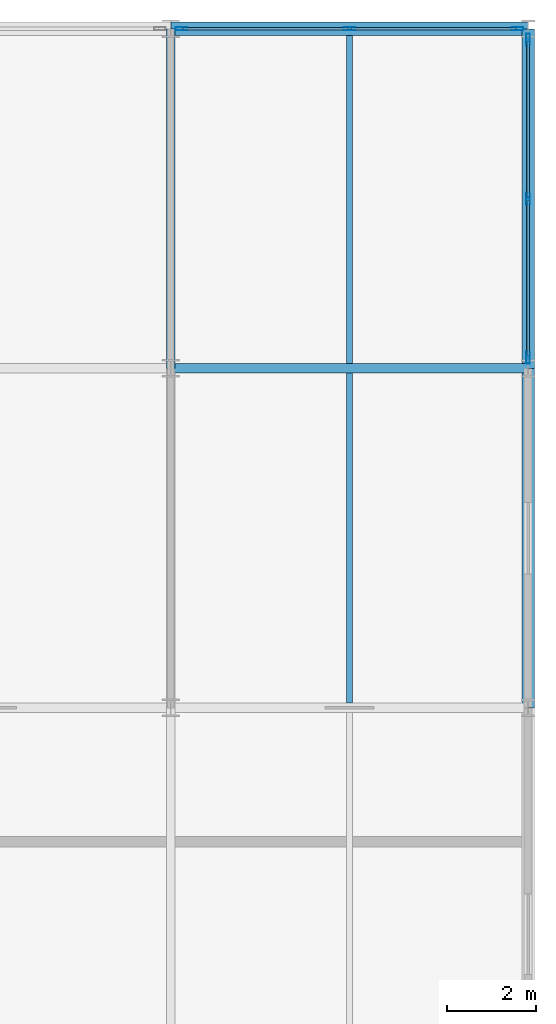
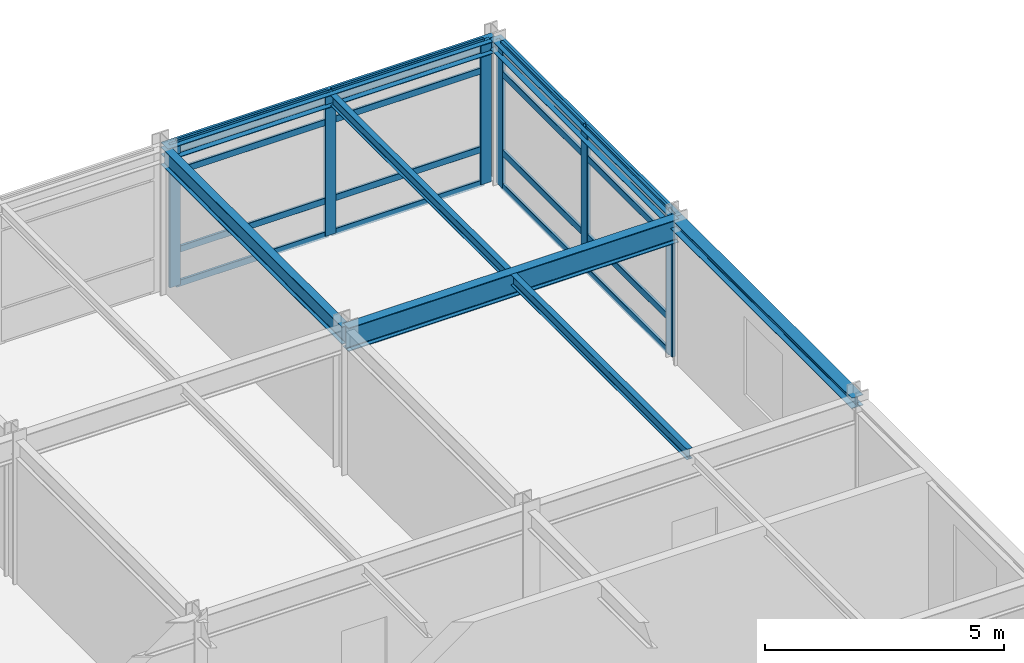
# One storey, part 9 of 14: 22 members, 7 beams, 2 elements without a shape of their own.
"""IFC4 building model written with IfcOpenShell, lengths in metres."""

from ifc_helpers import new_model, si_unit, direction, frame, origin, origin_2d, place, context, subcontext, project, spatial, hollow_rectangle, i_section, extrude, material, layer, layer_set, material_profile, profile_set, type_object, element, aggregate, save


model = new_model("IFC4")

# Units and contexts
model_context = context("Model", 3, precision=1e-05, world=origin(), true_north=direction((0.0, 1.0)))
body_context = subcontext(model_context, "Body", "Model", "MODEL_VIEW")
ifc_project = project(units=[si_unit("LENGTHUNIT", "METRE"), si_unit("AREAUNIT", "SQUARE_METRE"), si_unit("VOLUMEUNIT", "CUBIC_METRE"), si_unit("PLANEANGLEUNIT", "RADIAN"), si_unit("MASSUNIT", "GRAM", prefix="KILO")], contexts=[model_context])

# Site, building, storey
site_placement = place(None, origin())
site = spatial("IfcSite", under=ifc_project, at=site_placement, CompositionType="ELEMENT")
building_placement = place(site_placement, origin())
building = spatial("IfcBuilding", under=site, at=building_placement, Name="Shalkamar Park Central Library", CompositionType="ELEMENT")
storey_placement = place(building_placement, frame((0.0, 0.0, 28.199951171875)))
storey = spatial("IfcBuildingStorey", under=building, at=storey_placement, Name="L07", CompositionType="ELEMENT", Elevation=28.199951171875)

# Beams
ifc_material_1 = material(Name="Steel S355", Category="steel")
ifc_material_profile_1 = material_profile(ifc_material_1, i_section(OverallWidth=0.135009765625, OverallDepth=0.27001953125, WebThickness=0.006591796875, FlangeThickness=0.01025390625, FilletRadius=0.014892578125, at=origin_2d()), Name="IPE 270")
ifc_profile_set_1 = profile_set([ifc_material_profile_1], Name="Steel S355")
beam_type_1 = type_object("IfcBeamType", Name="Composite Floor Joist IPE270", PredefinedType="JOIST", material=ifc_profile_set_1)
beam_1_placement = place(storey_placement, frame((217.0, 278.10791015625, 3.525146484375), z_axis=(0.0, 1.0, 0.0), x_axis=(-1.0, 0.0, 0.0)))
element("IfcBeam", 1, at=beam_1_placement, inside=storey, type_object=beam_type_1, Name="Composite Joist 13/F-1 (L07)", PredefinedType="JOIST", context=body_context, shape_type="SweptSolid", body=[
    extrude(i_section(OverallWidth=0.135009765625, OverallDepth=0.27001953125, WebThickness=0.006591796875, FlangeThickness=0.01025390625, FilletRadius=0.014892578125, at=origin_2d()), origin(), (0.0, 0.0, 1.0), 7.384033203125),
])
beam_2_placement = place(storey_placement, frame((217.0, 285.7080078125, 3.525146484375), z_axis=(0.0, 1.0, 0.0), x_axis=(-1.0, 0.0, 0.0)))
element("IfcBeam", 2, at=beam_2_placement, inside=storey, type_object=beam_type_1, Name="Composite Joist 13/G-1 (L07)", PredefinedType="JOIST", context=body_context, shape_type="SweptSolid", body=[
    extrude(i_section(OverallWidth=0.135009765625, OverallDepth=0.27001953125, WebThickness=0.006591796875, FlangeThickness=0.01025390625, FilletRadius=0.014892578125, at=origin_2d()), origin(), (0.0, 0.0, 1.0), 7.343994140625),
])

# Curtain wall, members
ifc_material_2 = material(Name="Thermally broken aluminium and triple low-e curtain wall", Category="aluminium")
ifc_layer_1 = layer(ifc_material_2, 0.260009765625)
ifc_layer_set_1 = layer_set([ifc_layer_1], Name="UnitisedCurtainWall_72")
curtain_wall_type_1 = type_object("IfcCurtainWallType", Name="Unitised Curtain Wall 72", PredefinedType="USERDEFINED", material=ifc_layer_set_1)
curtain_wall_1_placement = place(storey_placement, origin())
curtain_wall_1 = element("IfcCurtainWall", 3, at=curtain_wall_1_placement, inside=storey, type_object=curtain_wall_type_1, Name="Unitised Curtain Wall CW-L07-102", ObjectType="UNITISED CURTAIN WALL", PredefinedType="USERDEFINED")
ifc_material_3 = material(Name="Aluminium 6060-T66", Category="aluminium")
ifc_material_profile_2 = material_profile(ifc_material_3, hollow_rectangle(XDim=0.074951171875, YDim=0.260009765625, WallThickness=0.00439453125, InnerFilletRadius=0.00439453125, OuterFilletRadius=0.0068359375, at=origin_2d()), Name="ALU 75x260x4.5")
ifc_profile_set_2 = profile_set([ifc_material_profile_2], Name="Aluminium 6060-T66")
member_type_1 = type_object("IfcMemberType", Name="Curtain Wall Mullion ALU75x260", PredefinedType="MULLION", material=ifc_profile_set_2)
member_1_placement = place(storey_placement, frame((213.240478515625, 293.199951171875, 0.0), z_axis=(0.0, 0.0, 1.0), x_axis=(0.0, 1.0, 0.0)))
member_1 = element("IfcMember", 4, at=member_1_placement, type_object=member_type_1, Name="CW-72 mullion 1", PredefinedType="MULLION", context=body_context, shape_type="SweptSolid", body=[
    extrude(hollow_rectangle(XDim=0.074951171875, YDim=0.260009765625, WallThickness=0.00439453125, InnerFilletRadius=0.00439453125, OuterFilletRadius=0.0068359375, at=origin_2d()), origin(), (0.0, 0.0, 1.0), 3.66015625),
])
member_2_placement = place(storey_placement, frame((217.000732421875, 293.199951171875, 0.0), z_axis=(0.0, 0.0, 1.0), x_axis=(0.0, 1.0, 0.0)))
member_2 = element("IfcMember", 5, at=member_2_placement, type_object=member_type_1, Name="CW-72 mullion 2", PredefinedType="MULLION", context=body_context, shape_type="SweptSolid", body=[
    extrude(hollow_rectangle(XDim=0.074951171875, YDim=0.260009765625, WallThickness=0.00439453125, InnerFilletRadius=0.00439453125, OuterFilletRadius=0.0068359375, at=origin_2d()), origin(), (0.0, 0.0, 1.0), 3.66015625),
])
member_3_placement = place(storey_placement, frame((220.760986328125, 293.199951171875, 0.0), z_axis=(0.0, 0.0, 1.0), x_axis=(0.0, 1.0, 0.0)))
member_3 = element("IfcMember", 6, at=member_3_placement, type_object=member_type_1, Name="CW-72 mullion 3", PredefinedType="MULLION", context=body_context, shape_type="SweptSolid", body=[
    extrude(hollow_rectangle(XDim=0.074951171875, YDim=0.260009765625, WallThickness=0.00439453125, InnerFilletRadius=0.00439453125, OuterFilletRadius=0.0068359375, at=origin_2d()), origin(), (0.0, 0.0, 1.0), 3.66015625),
])

ifc_layer_2 = layer(ifc_material_2, 0.27001953125)
ifc_layer_set_2 = layer_set([ifc_layer_2], Name="UnitisedCurtainWall_74")
curtain_wall_type_2 = type_object("IfcCurtainWallType", Name="Unitised Curtain Wall 74", PredefinedType="USERDEFINED", material=ifc_layer_set_2)
curtain_wall_2_placement = place(storey_placement, origin())
curtain_wall_2 = element("IfcCurtainWall", 7, at=curtain_wall_2_placement, inside=storey, type_object=curtain_wall_type_2, Name="Unitised Curtain Wall CW-L07-104", ObjectType="UNITISED CURTAIN WALL", PredefinedType="USERDEFINED")
ifc_material_profile_3 = material_profile(ifc_material_3, hollow_rectangle(XDim=0.080078125, YDim=0.27001953125, WallThickness=0.0048828125, InnerFilletRadius=0.0048828125, OuterFilletRadius=0.007568359375, at=origin_2d()), Name="ALU 80x270x5")
ifc_profile_set_3 = profile_set([ifc_material_profile_3], Name="Aluminium 6060-T66")
member_type_2 = type_object("IfcMemberType", Name="Curtain Wall Mullion ALU80x270", PredefinedType="MULLION", material=ifc_profile_set_3)
member_4_placement = place(storey_placement, frame((221.0, 285.841552734375, 0.0), z_axis=(0.0, 0.0, 1.0), x_axis=(-1.0, 0.0, 0.0)))
member_4 = element("IfcMember", 8, at=member_4_placement, type_object=member_type_2, Name="CW-74 mullion 1", PredefinedType="MULLION", context=body_context, shape_type="SweptSolid", body=[
    extrude(hollow_rectangle(XDim=0.080078125, YDim=0.27001953125, WallThickness=0.0048828125, InnerFilletRadius=0.0048828125, OuterFilletRadius=0.007568359375, at=origin_2d()), origin(), (0.0, 0.0, 1.0), 3.66015625),
])
member_5_placement = place(storey_placement, frame((221.0, 289.39990234375, 0.0), z_axis=(0.0, 0.0, 1.0), x_axis=(-1.0, 0.0, 0.0)))
member_5 = element("IfcMember", 9, at=member_5_placement, type_object=member_type_2, Name="CW-74 mullion 2", PredefinedType="MULLION", context=body_context, shape_type="SweptSolid", body=[
    extrude(hollow_rectangle(XDim=0.080078125, YDim=0.27001953125, WallThickness=0.0048828125, InnerFilletRadius=0.0048828125, OuterFilletRadius=0.007568359375, at=origin_2d()), origin(), (0.0, 0.0, 1.0), 3.66015625),
])
member_6_placement = place(storey_placement, frame((221.0, 292.95849609375, 0.0), z_axis=(0.0, 0.0, 1.0), x_axis=(-1.0, 0.0, 0.0)))
member_6 = element("IfcMember", 10, at=member_6_placement, type_object=member_type_2, Name="CW-74 mullion 3", PredefinedType="MULLION", context=body_context, shape_type="SweptSolid", body=[
    extrude(hollow_rectangle(XDim=0.080078125, YDim=0.27001953125, WallThickness=0.0048828125, InnerFilletRadius=0.0048828125, OuterFilletRadius=0.007568359375, at=origin_2d()), origin(), (0.0, 0.0, 1.0), 3.66015625),
])

# Member
ifc_material_profile_4 = material_profile(ifc_material_3, hollow_rectangle(XDim=0.06005859375, YDim=0.1650390625, WallThickness=0.00390625, InnerFilletRadius=0.00390625, OuterFilletRadius=0.006103515625, at=origin_2d()), Name="ALU 60x165x4")
ifc_profile_set_4 = profile_set([ifc_material_profile_4], Name="Aluminium 6060-T66")
member_type_3 = type_object("IfcMemberType", Name="Curtain Wall Transom ALU60x165", PredefinedType="USERDEFINED", material=ifc_profile_set_4)
member_7_placement = place(storey_placement, frame((213.278076171875, 293.199951171875, 0.030029296875), z_axis=(1.0, 0.0, 0.0), x_axis=(0.0, 1.0, 0.0)))
member_7 = element("IfcMember", 11, at=member_7_placement, type_object=member_type_3, Name="CW-72 transom 1.1", ObjectType="TRANSOM", PredefinedType="USERDEFINED", context=body_context, shape_type="SweptSolid", body=[
    extrude(hollow_rectangle(XDim=0.06005859375, YDim=0.1650390625, WallThickness=0.00390625, InnerFilletRadius=0.00390625, OuterFilletRadius=0.006103515625, at=origin_2d()), origin(), (0.0, 0.0, 1.0), 3.68505859375),
])

member_8_placement = place(storey_placement, frame((213.278076171875, 293.199951171875, 0.900146484375), z_axis=(1.0, 0.0, 0.0), x_axis=(0.0, 1.0, 0.0)))
member_8 = element("IfcMember", 12, at=member_8_placement, type_object=member_type_3, Name="CW-72 transom 1.2", ObjectType="TRANSOM", PredefinedType="USERDEFINED", context=body_context, shape_type="SweptSolid", body=[
    extrude(hollow_rectangle(XDim=0.06005859375, YDim=0.1650390625, WallThickness=0.00390625, InnerFilletRadius=0.00390625, OuterFilletRadius=0.006103515625, at=origin_2d()), origin(), (0.0, 0.0, 1.0), 3.68505859375),
])

member_9_placement = place(storey_placement, frame((213.278076171875, 293.199951171875, 2.91015625), z_axis=(1.0, 0.0, 0.0), x_axis=(0.0, 1.0, 0.0)))
member_9 = element("IfcMember", 13, at=member_9_placement, type_object=member_type_3, Name="CW-72 transom 1.3", ObjectType="TRANSOM", PredefinedType="USERDEFINED", context=body_context, shape_type="SweptSolid", body=[
    extrude(hollow_rectangle(XDim=0.06005859375, YDim=0.1650390625, WallThickness=0.00390625, InnerFilletRadius=0.00390625, OuterFilletRadius=0.006103515625, at=origin_2d()), origin(), (0.0, 0.0, 1.0), 3.68505859375),
])

member_10_placement = place(storey_placement, frame((213.278076171875, 293.199951171875, 3.630126953125), z_axis=(1.0, 0.0, 0.0), x_axis=(0.0, 1.0, 0.0)))
member_10 = element("IfcMember", 14, at=member_10_placement, type_object=member_type_3, Name="CW-72 transom 1.4", ObjectType="TRANSOM", PredefinedType="USERDEFINED", context=body_context, shape_type="SweptSolid", body=[
    extrude(hollow_rectangle(XDim=0.06005859375, YDim=0.1650390625, WallThickness=0.00390625, InnerFilletRadius=0.00390625, OuterFilletRadius=0.006103515625, at=origin_2d()), origin(), (0.0, 0.0, 1.0), 3.68505859375),
])

member_11_placement = place(storey_placement, frame((217.038330078125, 293.199951171875, 0.030029296875), z_axis=(1.0, 0.0, 0.0), x_axis=(0.0, 1.0, 0.0)))
member_11 = element("IfcMember", 15, at=member_11_placement, type_object=member_type_3, Name="CW-72 transom 2.1", ObjectType="TRANSOM", PredefinedType="USERDEFINED", context=body_context, shape_type="SweptSolid", body=[
    extrude(hollow_rectangle(XDim=0.06005859375, YDim=0.1650390625, WallThickness=0.00390625, InnerFilletRadius=0.00390625, OuterFilletRadius=0.006103515625, at=origin_2d()), origin(), (0.0, 0.0, 1.0), 3.68505859375),
])

member_12_placement = place(storey_placement, frame((217.038330078125, 293.199951171875, 0.900146484375), z_axis=(1.0, 0.0, 0.0), x_axis=(0.0, 1.0, 0.0)))
member_12 = element("IfcMember", 16, at=member_12_placement, type_object=member_type_3, Name="CW-72 transom 2.2", ObjectType="TRANSOM", PredefinedType="USERDEFINED", context=body_context, shape_type="SweptSolid", body=[
    extrude(hollow_rectangle(XDim=0.06005859375, YDim=0.1650390625, WallThickness=0.00390625, InnerFilletRadius=0.00390625, OuterFilletRadius=0.006103515625, at=origin_2d()), origin(), (0.0, 0.0, 1.0), 3.68505859375),
])

member_13_placement = place(storey_placement, frame((217.038330078125, 293.199951171875, 2.91015625), z_axis=(1.0, 0.0, 0.0), x_axis=(0.0, 1.0, 0.0)))
member_13 = element("IfcMember", 17, at=member_13_placement, type_object=member_type_3, Name="CW-72 transom 2.3", ObjectType="TRANSOM", PredefinedType="USERDEFINED", context=body_context, shape_type="SweptSolid", body=[
    extrude(hollow_rectangle(XDim=0.06005859375, YDim=0.1650390625, WallThickness=0.00390625, InnerFilletRadius=0.00390625, OuterFilletRadius=0.006103515625, at=origin_2d()), origin(), (0.0, 0.0, 1.0), 3.68505859375),
])

member_14_placement = place(storey_placement, frame((217.038330078125, 293.199951171875, 3.630126953125), z_axis=(1.0, 0.0, 0.0), x_axis=(0.0, 1.0, 0.0)))
member_14 = element("IfcMember", 18, at=member_14_placement, type_object=member_type_3, Name="CW-72 transom 2.4", ObjectType="TRANSOM", PredefinedType="USERDEFINED", context=body_context, shape_type="SweptSolid", body=[
    extrude(hollow_rectangle(XDim=0.06005859375, YDim=0.1650390625, WallThickness=0.00390625, InnerFilletRadius=0.00390625, OuterFilletRadius=0.006103515625, at=origin_2d()), origin(), (0.0, 0.0, 1.0), 3.68505859375),
])

aggregate(curtain_wall_1, [member_1, member_2, member_3, member_7, member_8, member_9, member_10, member_11, member_12, member_13, member_14])

ifc_material_profile_5 = material_profile(ifc_material_3, hollow_rectangle(XDim=0.06494140625, YDim=0.175048828125, WallThickness=0.00439453125, InnerFilletRadius=0.00439453125, OuterFilletRadius=0.0068359375, at=origin_2d()), Name="ALU 65x175x4.5")
ifc_profile_set_5 = profile_set([ifc_material_profile_5], Name="Aluminium 6060-T66")
member_type_4 = type_object("IfcMemberType", Name="Curtain Wall Transom ALU65x175", PredefinedType="USERDEFINED", material=ifc_profile_set_5)
member_15_placement = place(storey_placement, frame((221.0, 285.881591796875, 0.032470703125), z_axis=(0.0, 1.0, 0.0), x_axis=(-1.0, 0.0, 0.0)))
member_15 = element("IfcMember", 19, at=member_15_placement, type_object=member_type_4, Name="CW-74 transom 1.1", ObjectType="TRANSOM", PredefinedType="USERDEFINED", context=body_context, shape_type="SweptSolid", body=[
    extrude(hollow_rectangle(XDim=0.06494140625, YDim=0.175048828125, WallThickness=0.00439453125, InnerFilletRadius=0.00439453125, OuterFilletRadius=0.0068359375, at=origin_2d()), origin(), (0.0, 0.0, 1.0), 3.478515625),
])

member_16_placement = place(storey_placement, frame((221.0, 285.881591796875, 0.900146484375), z_axis=(0.0, 1.0, 0.0), x_axis=(-1.0, 0.0, 0.0)))
member_16 = element("IfcMember", 20, at=member_16_placement, type_object=member_type_4, Name="CW-74 transom 1.2", ObjectType="TRANSOM", PredefinedType="USERDEFINED", context=body_context, shape_type="SweptSolid", body=[
    extrude(hollow_rectangle(XDim=0.06494140625, YDim=0.175048828125, WallThickness=0.00439453125, InnerFilletRadius=0.00439453125, OuterFilletRadius=0.0068359375, at=origin_2d()), origin(), (0.0, 0.0, 1.0), 3.478515625),
])

member_17_placement = place(storey_placement, frame((221.0, 285.881591796875, 2.91015625), z_axis=(0.0, 1.0, 0.0), x_axis=(-1.0, 0.0, 0.0)))
member_17 = element("IfcMember", 21, at=member_17_placement, type_object=member_type_4, Name="CW-74 transom 1.3", ObjectType="TRANSOM", PredefinedType="USERDEFINED", context=body_context, shape_type="SweptSolid", body=[
    extrude(hollow_rectangle(XDim=0.06494140625, YDim=0.175048828125, WallThickness=0.00439453125, InnerFilletRadius=0.00439453125, OuterFilletRadius=0.0068359375, at=origin_2d()), origin(), (0.0, 0.0, 1.0), 3.478515625),
])

member_18_placement = place(storey_placement, frame((221.0, 285.881591796875, 3.62744140625), z_axis=(0.0, 1.0, 0.0), x_axis=(-1.0, 0.0, 0.0)))
member_18 = element("IfcMember", 22, at=member_18_placement, type_object=member_type_4, Name="CW-74 transom 1.4", ObjectType="TRANSOM", PredefinedType="USERDEFINED", context=body_context, shape_type="SweptSolid", body=[
    extrude(hollow_rectangle(XDim=0.06494140625, YDim=0.175048828125, WallThickness=0.00439453125, InnerFilletRadius=0.00439453125, OuterFilletRadius=0.0068359375, at=origin_2d()), origin(), (0.0, 0.0, 1.0), 3.478515625),
])

member_19_placement = place(storey_placement, frame((221.0, 289.43994140625, 0.032470703125), z_axis=(0.0, 1.0, 0.0), x_axis=(-1.0, 0.0, 0.0)))
member_19 = element("IfcMember", 23, at=member_19_placement, type_object=member_type_4, Name="CW-74 transom 2.1", ObjectType="TRANSOM", PredefinedType="USERDEFINED", context=body_context, shape_type="SweptSolid", body=[
    extrude(hollow_rectangle(XDim=0.06494140625, YDim=0.175048828125, WallThickness=0.00439453125, InnerFilletRadius=0.00439453125, OuterFilletRadius=0.0068359375, at=origin_2d()), origin(), (0.0, 0.0, 1.0), 3.478515625),
])

member_20_placement = place(storey_placement, frame((221.0, 289.43994140625, 0.900146484375), z_axis=(0.0, 1.0, 0.0), x_axis=(-1.0, 0.0, 0.0)))
member_20 = element("IfcMember", 24, at=member_20_placement, type_object=member_type_4, Name="CW-74 transom 2.2", ObjectType="TRANSOM", PredefinedType="USERDEFINED", context=body_context, shape_type="SweptSolid", body=[
    extrude(hollow_rectangle(XDim=0.06494140625, YDim=0.175048828125, WallThickness=0.00439453125, InnerFilletRadius=0.00439453125, OuterFilletRadius=0.0068359375, at=origin_2d()), origin(), (0.0, 0.0, 1.0), 3.478515625),
])

member_21_placement = place(storey_placement, frame((221.0, 289.43994140625, 2.91015625), z_axis=(0.0, 1.0, 0.0), x_axis=(-1.0, 0.0, 0.0)))
member_21 = element("IfcMember", 25, at=member_21_placement, type_object=member_type_4, Name="CW-74 transom 2.3", ObjectType="TRANSOM", PredefinedType="USERDEFINED", context=body_context, shape_type="SweptSolid", body=[
    extrude(hollow_rectangle(XDim=0.06494140625, YDim=0.175048828125, WallThickness=0.00439453125, InnerFilletRadius=0.00439453125, OuterFilletRadius=0.0068359375, at=origin_2d()), origin(), (0.0, 0.0, 1.0), 3.478515625),
])

member_22_placement = place(storey_placement, frame((221.0, 289.43994140625, 3.62744140625), z_axis=(0.0, 1.0, 0.0), x_axis=(-1.0, 0.0, 0.0)))
member_22 = element("IfcMember", 26, at=member_22_placement, type_object=member_type_4, Name="CW-74 transom 2.4", ObjectType="TRANSOM", PredefinedType="USERDEFINED", context=body_context, shape_type="SweptSolid", body=[
    extrude(hollow_rectangle(XDim=0.06494140625, YDim=0.175048828125, WallThickness=0.00439453125, InnerFilletRadius=0.00439453125, OuterFilletRadius=0.0068359375, at=origin_2d()), origin(), (0.0, 0.0, 1.0), 3.478515625),
])

aggregate(curtain_wall_2, [member_4, member_5, member_6, member_15, member_16, member_17, member_18, member_19, member_20, member_21, member_22])

# Beams
ifc_material_profile_6 = material_profile(ifc_material_1, i_section(OverallWidth=0.280029296875, OverallDepth=0.27001953125, WebThickness=0.008056640625, FlangeThickness=0.012939453125, FilletRadius=0.02392578125, at=origin_2d()), Name="HEA 280")
ifc_profile_set_6 = profile_set([ifc_material_profile_6], Name="Steel S355")
beam_type_2 = type_object("IfcBeamType", Name="Perimeter Spandrel Beam HEA280", PredefinedType="SPANDREL", material=ifc_profile_set_6)
beam_3_placement = place(storey_placement, frame((221.0, 278.0, 3.525146484375), z_axis=(0.0, 1.0, 0.0), x_axis=(-1.0, 0.0, 0.0)))
element("IfcBeam", 27, at=beam_3_placement, inside=storey, type_object=beam_type_2, Name="Beam 14:F-G (L07)", PredefinedType="SPANDREL", context=body_context, shape_type="SweptSolid", body=[
    extrude(i_section(OverallWidth=0.280029296875, OverallDepth=0.27001953125, WebThickness=0.008056640625, FlangeThickness=0.012939453125, FilletRadius=0.02392578125, at=origin_2d()), origin(), (0.0, 0.0, 1.0), 7.60009765625),
])
beam_4_placement = place(storey_placement, frame((221.0, 285.60009765625, 3.525146484375), z_axis=(0.0, 1.0, 0.0), x_axis=(-1.0, 0.0, 0.0)))
element("IfcBeam", 28, at=beam_4_placement, inside=storey, type_object=beam_type_2, Name="Beam 14:G-H (L07)", PredefinedType="SPANDREL", context=body_context, shape_type="SweptSolid", body=[
    extrude(i_section(OverallWidth=0.280029296875, OverallDepth=0.27001953125, WebThickness=0.008056640625, FlangeThickness=0.012939453125, FilletRadius=0.02392578125, at=origin_2d()), origin(), (0.0, 0.0, 1.0), 7.599853515625),
])
ifc_material_profile_7 = material_profile(ifc_material_1, i_section(OverallWidth=0.300048828125, OverallDepth=0.31005859375, WebThickness=0.009033203125, FlangeThickness=0.015380859375, FilletRadius=0.027099609375, at=origin_2d()), Name="HEA 320")
ifc_profile_set_7 = profile_set([ifc_material_profile_7], Name="Steel S355")
beam_type_3 = type_object("IfcBeamType", Name="Perimeter Spandrel Beam HEA320", PredefinedType="SPANDREL", material=ifc_profile_set_7)
beam_5_placement = place(storey_placement, frame((213.0, 293.199951171875, 3.505126953125), z_axis=(1.0, 0.0, 0.0), x_axis=(0.0, 1.0, 0.0)))
element("IfcBeam", 29, at=beam_5_placement, inside=storey, type_object=beam_type_3, Name="Beam H:13-14 (L07)", PredefinedType="SPANDREL", context=body_context, shape_type="SweptSolid", body=[
    extrude(i_section(OverallWidth=0.300048828125, OverallDepth=0.31005859375, WebThickness=0.009033203125, FlangeThickness=0.015380859375, FilletRadius=0.027099609375, at=origin_2d()), origin(), (0.0, 0.0, 1.0), 8.0),
])
ifc_material_profile_8 = material_profile(ifc_material_1, i_section(OverallWidth=0.18994140625, OverallDepth=0.449951171875, WebThickness=0.009521484375, FlangeThickness=0.0146484375, FilletRadius=0.02099609375, at=origin_2d()), Name="IPE 450")
ifc_profile_set_8 = profile_set([ifc_material_profile_8], Name="Steel S355")
beam_type_4 = type_object("IfcBeamType", Name="Primary Girder IPE450", PredefinedType="BEAM", material=ifc_profile_set_8)
beam_6_placement = place(storey_placement, frame((213.0, 285.60009765625, 3.43505859375), z_axis=(0.0, 1.0, 0.0), x_axis=(-1.0, 0.0, 0.0)))
element("IfcBeam", 30, at=beam_6_placement, inside=storey, type_object=beam_type_4, Name="Beam 13:G-H (L07)", PredefinedType="BEAM", context=body_context, shape_type="SweptSolid", body=[
    extrude(i_section(OverallWidth=0.18994140625, OverallDepth=0.449951171875, WebThickness=0.009521484375, FlangeThickness=0.0146484375, FilletRadius=0.02099609375, at=origin_2d()), origin(), (0.0, 0.0, 1.0), 7.599853515625),
])
ifc_material_profile_9 = material_profile(ifc_material_1, i_section(OverallWidth=0.219970703125, OverallDepth=0.60009765625, WebThickness=0.011962890625, FlangeThickness=0.01904296875, FilletRadius=0.02392578125, at=origin_2d()), Name="IPE 600")
ifc_profile_set_9 = profile_set([ifc_material_profile_9], Name="Steel S355")
beam_type_5 = type_object("IfcBeamType", Name="Primary Girder IPE600", PredefinedType="BEAM", material=ifc_profile_set_9)
beam_7_placement = place(storey_placement, frame((213.0, 285.60009765625, 3.360107421875), z_axis=(1.0, 0.0, 0.0), x_axis=(0.0, 1.0, 0.0)))
element("IfcBeam", 31, at=beam_7_placement, inside=storey, type_object=beam_type_5, Name="Beam G:13-14 (L07)", PredefinedType="BEAM", context=body_context, shape_type="SweptSolid", body=[
    extrude(i_section(OverallWidth=0.219970703125, OverallDepth=0.60009765625, WebThickness=0.011962890625, FlangeThickness=0.01904296875, FilletRadius=0.02392578125, at=origin_2d()), origin(), (0.0, 0.0, 1.0), 8.0),
])

save(model, "model.ifc")
